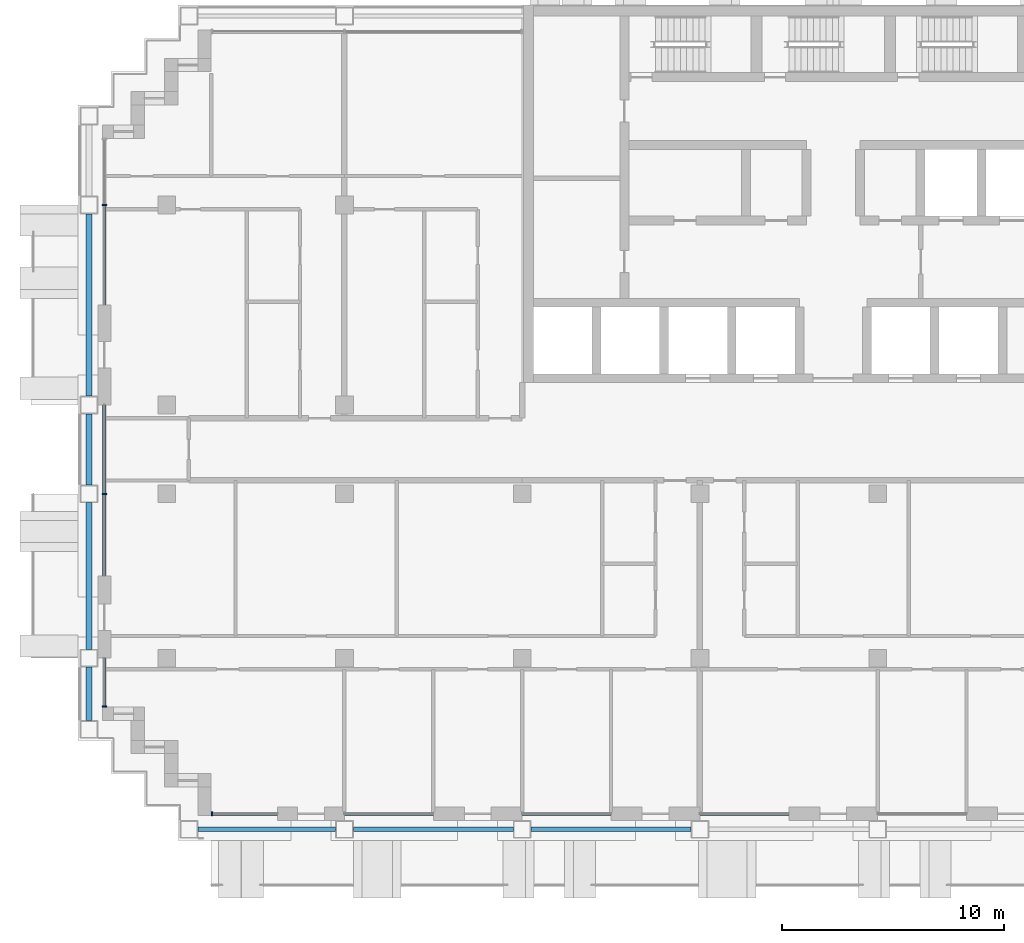
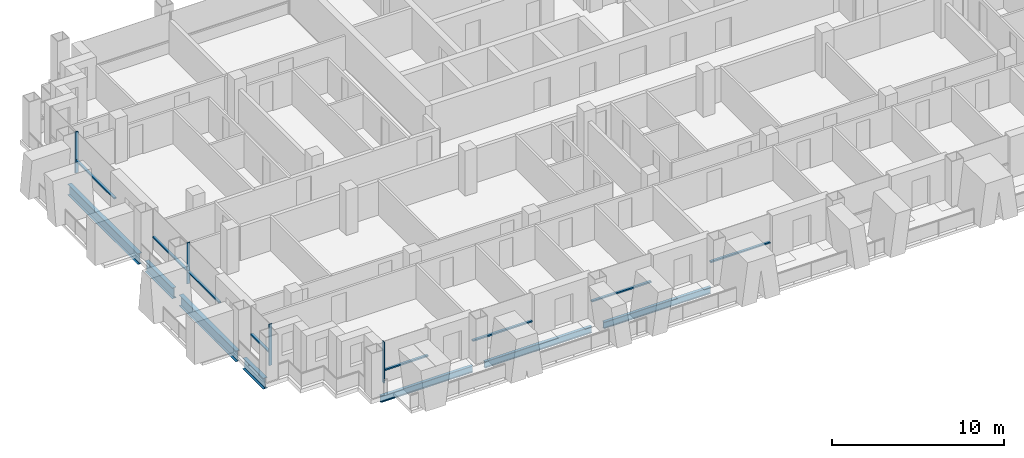
# One storey, part 2 of 16: 12 members, 7 beams, 7 elements without a shape of their own.
"""IFC4 building model written with IfcOpenShell, lengths in metres."""

from ifc_helpers import new_model, si_unit, direction, frame, origin, origin_2d, place, context, subcontext, project, spatial, rectangle, i_section, extrude, material, material_profile, profile_set, type_object, element, aggregate, save


model = new_model("IFC4")

# Units and contexts
model_context = context("Model", 3, precision=1e-05, world=origin(), true_north=direction((0.0, 1.0)))
body_context = subcontext(model_context, "Body", "Model", "MODEL_VIEW")
ifc_project = project(units=[si_unit("LENGTHUNIT", "METRE"), si_unit("AREAUNIT", "SQUARE_METRE"), si_unit("VOLUMEUNIT", "CUBIC_METRE"), si_unit("PLANEANGLEUNIT", "RADIAN"), si_unit("MASSUNIT", "GRAM", prefix="KILO")], contexts=[model_context])

# Site, building, storey
site_placement = place(None, origin())
site = spatial("IfcSite", under=ifc_project, at=site_placement, CompositionType="ELEMENT")
building_placement = place(site_placement, origin())
building = spatial("IfcBuilding", under=site, at=building_placement, Name="Vidyagriha Tower", CompositionType="ELEMENT")
storey_placement = place(building_placement, frame((0.0, 0.0, 145.39990234375)))
storey = spatial("IfcBuildingStorey", under=building, at=storey_placement, Name="L38", CompositionType="ELEMENT", Elevation=145.39990234375)

# Beams
ifc_material_1 = material(Name="Steel ASTM A992 Grade 50", Category="steel")
ifc_material_profile_1 = material_profile(ifc_material_1, i_section(OverallWidth=0.2666015625, OverallDepth=0.76953125, WebThickness=0.015625, FlangeThickness=0.025390625, at=origin_2d()), Name="W30X132")
ifc_profile_set_1 = profile_set([ifc_material_profile_1], Name="Steel ASTM A992 Grade 50")
beam_type_1 = type_object("IfcBeamType", Name="Cantilever edge beam W30X132", PredefinedType="SPANDREL", material=ifc_profile_set_1)
beam_1_placement = place(storey_placement, frame((-33.5, -12.199951171875, -0.664794921875), z_axis=(0.0, 1.0, 0.0), x_axis=(-1.0, 0.0, 0.0)))
element("IfcBeam", 1, at=beam_1_placement, inside=storey, type_object=beam_type_1, Name="st-beam-L38-W09", PredefinedType="SPANDREL", context=body_context, shape_type="SweptSolid", body=[
    extrude(i_section(OverallWidth=0.2666015625, OverallDepth=0.76953125, WebThickness=0.015625, FlangeThickness=0.025390625, at=origin_2d()), origin(), (0.0, 0.0, 1.0), 2.39990234375),
])
beam_2_placement = place(storey_placement, frame((-33.5, -9.0, -0.664794921875), z_axis=(0.0, 1.0, 0.0), x_axis=(-1.0, 0.0, 0.0)))
element("IfcBeam", 2, at=beam_2_placement, inside=storey, type_object=beam_type_1, Name="st-beam-L38-W10", PredefinedType="SPANDREL", context=body_context, shape_type="SweptSolid", body=[
    extrude(i_section(OverallWidth=0.2666015625, OverallDepth=0.76953125, WebThickness=0.015625, FlangeThickness=0.025390625, at=origin_2d()), origin(), (0.0, 0.0, 1.0), 6.60009765625),
])
beam_3_placement = place(storey_placement, frame((-33.5, -1.60009765625, -0.664794921875), z_axis=(0.0, 1.0, 0.0), x_axis=(-1.0, 0.0, 0.0)))
element("IfcBeam", 3, at=beam_3_placement, inside=storey, type_object=beam_type_1, Name="st-beam-L38-W11", PredefinedType="SPANDREL", context=body_context, shape_type="SweptSolid", body=[
    extrude(i_section(OverallWidth=0.2666015625, OverallDepth=0.76953125, WebThickness=0.015625, FlangeThickness=0.025390625, at=origin_2d()), origin(), (0.0, 0.0, 1.0), 3.2001953125),
])
beam_4_placement = place(storey_placement, frame((-33.5, 2.39990234375, -0.664794921875), z_axis=(0.0, 1.0, 0.0), x_axis=(-1.0, 0.0, 0.0)))
element("IfcBeam", 4, at=beam_4_placement, inside=storey, type_object=beam_type_1, Name="st-beam-L38-W12", PredefinedType="SPANDREL", context=body_context, shape_type="SweptSolid", body=[
    extrude(i_section(OverallWidth=0.2666015625, OverallDepth=0.76953125, WebThickness=0.015625, FlangeThickness=0.025390625, at=origin_2d()), origin(), (0.0, 0.0, 1.0), 8.2001953125),
])
ifc_material_2 = material(Name="Steel ASTM A992 Grade 50", Category="steel")
ifc_material_profile_2 = material_profile(ifc_material_2, i_section(OverallWidth=0.19189453125, OverallDepth=0.46240234375, WebThickness=0.010498046875, FlangeThickness=0.017578125, at=origin_2d()), Name="W18X60")
ifc_profile_set_2 = profile_set([ifc_material_profile_2], Name="Steel ASTM A992 Grade 50")
beam_type_2 = type_object("IfcBeamType", Name="Edge beam W18X60", PredefinedType="SPANDREL", material=ifc_profile_set_2)
beam_5_placement = place(storey_placement, frame((-28.60009765625, -17.10009765625, -0.510986328125), z_axis=(1.0, 0.0, 0.0), x_axis=(0.0, 1.0, 0.0)))
element("IfcBeam", 5, at=beam_5_placement, inside=storey, type_object=beam_type_2, Name="st-beam-L38-S01", PredefinedType="SPANDREL", context=body_context, shape_type="SweptSolid", body=[
    extrude(i_section(OverallWidth=0.19189453125, OverallDepth=0.46240234375, WebThickness=0.010498046875, FlangeThickness=0.017578125, at=origin_2d()), origin(), (0.0, 0.0, 1.0), 6.2001953125),
])
for number, where, z_axis, x_axis, name in (
    (6, (-21.60009765625, -17.10009765625, -0.510986328125), (1.0, 0.0, 0.0), (0.0, 1.0, 0.0), "st-beam-L38-S02"),
    (7, (-13.60009765625, -17.10009765625, -0.510986328125), (1.0, 0.0, 0.0), (0.0, 1.0, 0.0), "st-beam-L38-S03"),
):
    element("IfcBeam", number, at=place(storey_placement, frame(where, z_axis=z_axis, x_axis=x_axis)), inside=storey, type_object=beam_type_2, Name=name, PredefinedType="SPANDREL", context=body_context, shape_type="SweptSolid", body=[
        extrude(i_section(OverallWidth=0.19189453125, OverallDepth=0.46240234375, WebThickness=0.010498046875, FlangeThickness=0.017578125, at=origin_2d()), origin(), (0.0, 0.0, 1.0), 7.2001953125),
    ])

# Curtain wall, member
ifc_material_3 = material(Name="Aluminium and glass curtain wall", Category="aluminium")
curtain_wall_type = type_object("IfcCurtainWallType", Name="Dwelling skin unitised curtain wall", PredefinedType="USERDEFINED", material=ifc_material_3)
curtain_wall_1_placement = place(storey_placement, origin())
curtain_wall_1 = element("IfcCurtainWall", 8, at=curtain_wall_1_placement, inside=storey, type_object=curtain_wall_type, Name="CW1 dwelling skin", ObjectType="UNITISED", PredefinedType="USERDEFINED")
ifc_material_4 = material(Name="Aluminium black anodised", Category="aluminium")
ifc_material_profile_3 = material_profile(ifc_material_4, rectangle(XDim=0.199951171875, YDim=0.070068359375, at=origin_2d()), Name="Mullion 70x200 black aluminium")
ifc_profile_set_3 = profile_set([ifc_material_profile_3], Name="Aluminium black anodised")
member_type_1 = type_object("IfcMemberType", Name="Mullion 70x200 black aluminium", PredefinedType="MULLION", material=ifc_profile_set_3)
member_1_placement = place(storey_placement, frame((-32.800048828125, 11.0, 0.0)))
member_1 = element("IfcMember", 9, at=member_1_placement, type_object=member_type_1, Name="CW1 mullion 2", PredefinedType="MULLION", context=body_context, shape_type="SweptSolid", body=[
    extrude(rectangle(XDim=0.199951171875, YDim=0.070068359375, at=origin_2d()), origin(), (0.0, 0.0, 1.0), 2.920166015625),
])

curtain_wall_2_placement = place(storey_placement, origin())
curtain_wall_2 = element("IfcCurtainWall", 10, at=curtain_wall_2_placement, inside=storey, type_object=curtain_wall_type, Name="CW1 dwelling skin", ObjectType="UNITISED", PredefinedType="USERDEFINED")
member_2_placement = place(storey_placement, frame((-32.800048828125, -2.0, 0.0)))
member_2 = element("IfcMember", 11, at=member_2_placement, type_object=member_type_1, Name="CW1 mullion 2", PredefinedType="MULLION", context=body_context, shape_type="SweptSolid", body=[
    extrude(rectangle(XDim=0.199951171875, YDim=0.070068359375, at=origin_2d()), origin(), (0.0, 0.0, 1.0), 2.920166015625),
])

curtain_wall_3_placement = place(storey_placement, origin())
curtain_wall_3 = element("IfcCurtainWall", 12, at=curtain_wall_3_placement, inside=storey, type_object=curtain_wall_type, Name="CW1 dwelling skin", ObjectType="UNITISED", PredefinedType="USERDEFINED")
member_3_placement = place(storey_placement, frame((-32.800048828125, -11.56494140625, 0.0)))
member_3 = element("IfcMember", 13, at=member_3_placement, type_object=member_type_1, Name="CW1 mullion 2", PredefinedType="MULLION", context=body_context, shape_type="SweptSolid", body=[
    extrude(rectangle(XDim=0.199951171875, YDim=0.070068359375, at=origin_2d()), origin(), (0.0, 0.0, 1.0), 2.920166015625),
])

curtain_wall_4_placement = place(storey_placement, origin())
curtain_wall_4 = element("IfcCurtainWall", 14, at=curtain_wall_4_placement, inside=storey, type_object=curtain_wall_type, Name="CW1 dwelling skin", ObjectType="UNITISED", PredefinedType="USERDEFINED")
member_4_placement = place(storey_placement, frame((-27.965087890625, -16.39990234375, 0.0), z_axis=(0.0, 0.0, 1.0), x_axis=(0.0, 1.0, 0.0)))
member_4 = element("IfcMember", 15, at=member_4_placement, type_object=member_type_1, Name="CW1 mullion 1", PredefinedType="MULLION", context=body_context, shape_type="SweptSolid", body=[
    extrude(rectangle(XDim=0.199951171875, YDim=0.070068359375, at=origin_2d()), origin(), (0.0, 0.0, 1.0), 2.920166015625),
])

# Member
ifc_material_5 = material(Name="Aluminium black anodised", Category="aluminium")
ifc_material_profile_4 = material_profile(ifc_material_5, rectangle(XDim=0.159912109375, YDim=0.10009765625, at=origin_2d()), Name="Transom 100x160 black aluminium")
ifc_profile_set_4 = profile_set([ifc_material_profile_4], Name="Aluminium black anodised")
member_type_2 = type_object("IfcMemberType", Name="Transom 100x160 black aluminium", PredefinedType="USERDEFINED", material=ifc_profile_set_4)
member_5_placement = place(storey_placement, frame((-32.800048828125, 10.965087890625, 0.900146484375), z_axis=(0.0, -1.0, 0.0), x_axis=(1.0, 0.0, 0.0)))
member_5 = element("IfcMember", 16, at=member_5_placement, type_object=member_type_2, Name="CW1 transom 2.1", ObjectType="TRANSOM", PredefinedType="USERDEFINED", context=body_context, shape_type="SweptSolid", body=[
    extrude(rectangle(XDim=0.159912109375, YDim=0.10009765625, at=origin_2d()), origin(), (0.0, 0.0, 1.0), 4.465087890625),
])

aggregate(curtain_wall_1, [member_1, member_5])

member_6_placement = place(storey_placement, frame((-32.800048828125, 2.0, 0.900146484375), z_axis=(0.0, -1.0, 0.0), x_axis=(1.0, 0.0, 0.0)))
member_6 = element("IfcMember", 17, at=member_6_placement, type_object=member_type_2, Name="CW1 transom 1.1", ObjectType="TRANSOM", PredefinedType="USERDEFINED", context=body_context, shape_type="SweptSolid", body=[
    extrude(rectangle(XDim=0.159912109375, YDim=0.10009765625, at=origin_2d()), origin(), (0.0, 0.0, 1.0), 3.965087890625),
])

member_7_placement = place(storey_placement, frame((-32.800048828125, -2.034912109375, 0.900146484375), z_axis=(0.0, -1.0, 0.0), x_axis=(1.0, 0.0, 0.0)))
member_7 = element("IfcMember", 18, at=member_7_placement, type_object=member_type_2, Name="CW1 transom 2.1", ObjectType="TRANSOM", PredefinedType="USERDEFINED", context=body_context, shape_type="SweptSolid", body=[
    extrude(rectangle(XDim=0.159912109375, YDim=0.10009765625, at=origin_2d()), origin(), (0.0, 0.0, 1.0), 3.6650390625),
])

aggregate(curtain_wall_2, [member_2, member_6, member_7])

member_8_placement = place(storey_placement, frame((-32.800048828125, -9.39990234375, 0.900146484375), z_axis=(0.0, -1.0, 0.0), x_axis=(1.0, 0.0, 0.0)))
member_8 = element("IfcMember", 19, at=member_8_placement, type_object=member_type_2, Name="CW1 transom 1.1", ObjectType="TRANSOM", PredefinedType="USERDEFINED", context=body_context, shape_type="SweptSolid", body=[
    extrude(rectangle(XDim=0.159912109375, YDim=0.10009765625, at=origin_2d()), origin(), (0.0, 0.0, 1.0), 2.130126953125),
])

aggregate(curtain_wall_3, [member_3, member_8])

member_9_placement = place(storey_placement, frame((-27.929931640625, -16.39990234375, 0.900146484375), z_axis=(1.0, 0.0, 0.0), x_axis=(0.0, 1.0, 0.0)))
member_9 = element("IfcMember", 20, at=member_9_placement, type_object=member_type_2, Name="CW1 transom 1.1", ObjectType="TRANSOM", PredefinedType="USERDEFINED", context=body_context, shape_type="SweptSolid", body=[
    extrude(rectangle(XDim=0.159912109375, YDim=0.10009765625, at=origin_2d()), origin(), (0.0, 0.0, 1.0), 2.929931640625),
])

aggregate(curtain_wall_4, [member_4, member_9])

# Curtain wall, member
curtain_wall_5_placement = place(storey_placement, origin())
curtain_wall_5 = element("IfcCurtainWall", 21, at=curtain_wall_5_placement, inside=storey, type_object=curtain_wall_type, Name="CW1 dwelling skin", ObjectType="UNITISED", PredefinedType="USERDEFINED")
member_10_placement = place(storey_placement, frame((-22.0, -16.39990234375, 0.900146484375), z_axis=(1.0, 0.0, 0.0), x_axis=(0.0, 1.0, 0.0)))
member_10 = element("IfcMember", 22, at=member_10_placement, type_object=member_type_2, Name="CW1 transom 1.1", ObjectType="TRANSOM", PredefinedType="USERDEFINED", context=body_context, shape_type="SweptSolid", body=[
    extrude(rectangle(XDim=0.159912109375, YDim=0.10009765625, at=origin_2d()), origin(), (0.0, 0.0, 1.0), 4.0),
])
aggregate(curtain_wall_5, [member_10])

curtain_wall_6_placement = place(storey_placement, origin())
curtain_wall_6 = element("IfcCurtainWall", 23, at=curtain_wall_6_placement, inside=storey, type_object=curtain_wall_type, Name="CW1 dwelling skin", ObjectType="UNITISED", PredefinedType="USERDEFINED")
member_11_placement = place(storey_placement, frame((-14.0, -16.39990234375, 0.900146484375), z_axis=(1.0, 0.0, 0.0), x_axis=(0.0, 1.0, 0.0)))
member_11 = element("IfcMember", 24, at=member_11_placement, type_object=member_type_2, Name="CW1 transom 1.1", ObjectType="TRANSOM", PredefinedType="USERDEFINED", context=body_context, shape_type="SweptSolid", body=[
    extrude(rectangle(XDim=0.159912109375, YDim=0.10009765625, at=origin_2d()), origin(), (0.0, 0.0, 1.0), 4.0),
])
aggregate(curtain_wall_6, [member_11])

curtain_wall_7_placement = place(storey_placement, origin())
curtain_wall_7 = element("IfcCurtainWall", 25, at=curtain_wall_7_placement, inside=storey, type_object=curtain_wall_type, Name="CW1 dwelling skin", ObjectType="UNITISED", PredefinedType="USERDEFINED")
member_12_placement = place(storey_placement, frame((-6.0, -16.39990234375, 0.900146484375), z_axis=(1.0, 0.0, 0.0), x_axis=(0.0, 1.0, 0.0)))
member_12 = element("IfcMember", 26, at=member_12_placement, type_object=member_type_2, Name="CW1 transom 1.1", ObjectType="TRANSOM", PredefinedType="USERDEFINED", context=body_context, shape_type="SweptSolid", body=[
    extrude(rectangle(XDim=0.159912109375, YDim=0.10009765625, at=origin_2d()), origin(), (0.0, 0.0, 1.0), 4.0),
])
aggregate(curtain_wall_7, [member_12])

save(model, "model.ifc")
